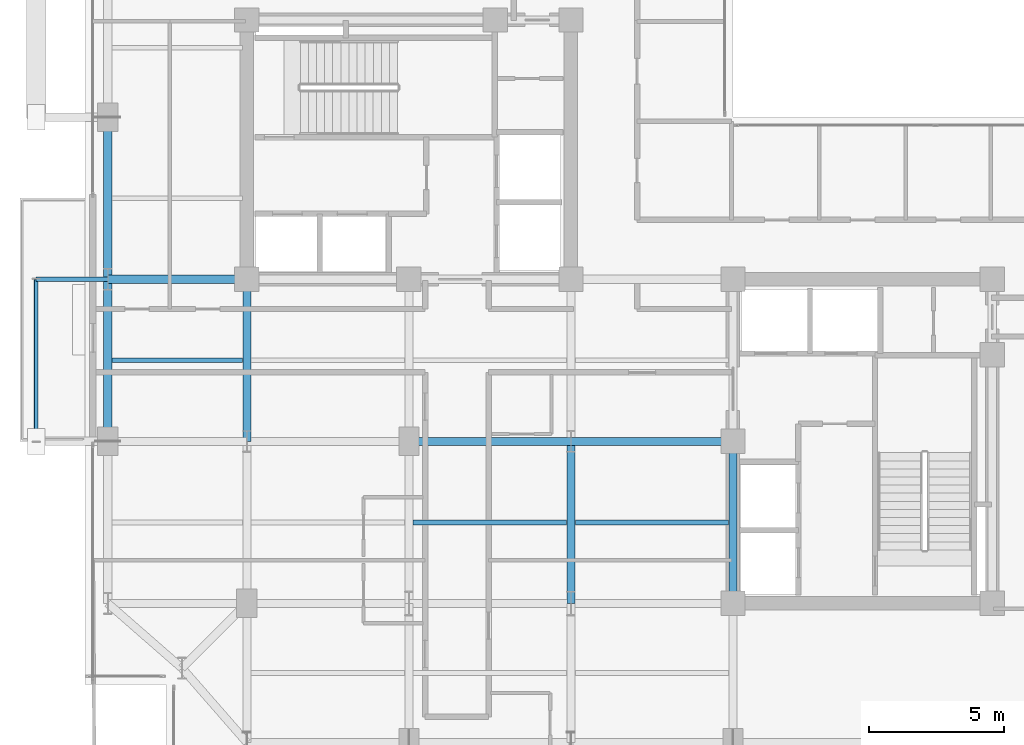
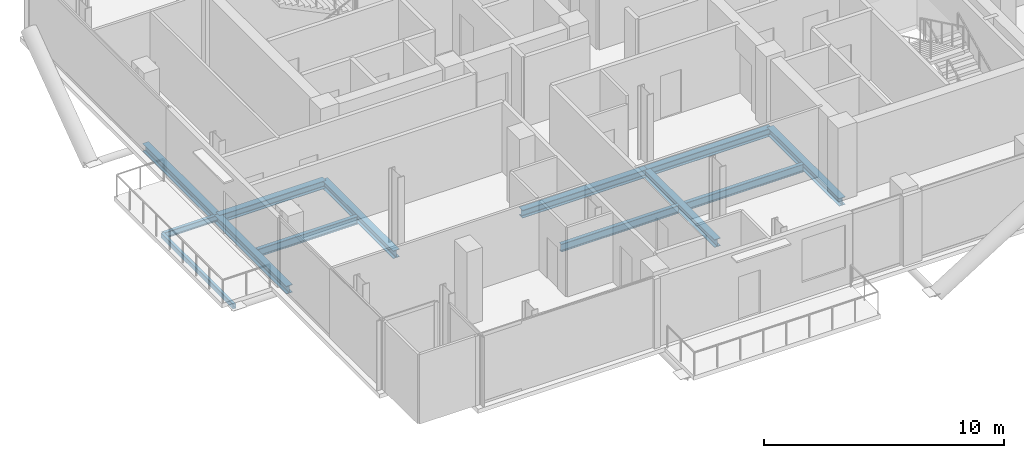
# One storey, part 6 of 21: 13 beams.
"""IFC4 building model written with IfcOpenShell, lengths in metres."""

from ifc_helpers import new_model, si_unit, direction, frame, origin, origin_2d, place, context, subcontext, project, spatial, hollow_rectangle, i_section, extrude, material, material_profile, profile_set, type_object, element, save


model = new_model("IFC4")

# Units and contexts
model_context = context("Model", 3, precision=1e-05, world=origin(), true_north=direction((0.0, 1.0)))
body_context = subcontext(model_context, "Body", "Model", "MODEL_VIEW")
ifc_project = project(units=[si_unit("LENGTHUNIT", "METRE"), si_unit("AREAUNIT", "SQUARE_METRE"), si_unit("VOLUMEUNIT", "CUBIC_METRE"), si_unit("PLANEANGLEUNIT", "RADIAN"), si_unit("MASSUNIT", "GRAM", prefix="KILO"), si_unit("THERMODYNAMICTEMPERATUREUNIT", "KELVIN"), si_unit("POWERUNIT", "WATT")], contexts=[model_context])

# Site, building, storey
site_placement = place(None, origin())
site = spatial("IfcSite", under=ifc_project, at=site_placement, CompositionType="ELEMENT")
building_placement = place(site_placement, origin())
building = spatial("IfcBuilding", under=site, at=building_placement, Name="Svarakhadi Broadcast Tower", CompositionType="ELEMENT")
storey_placement = place(building_placement, frame((0.0, 0.0, 208.64990234375)))
storey = spatial("IfcBuildingStorey", under=building, at=storey_placement, Name="L51", CompositionType="ELEMENT", Elevation=208.64990234375)

# Beams
ifc_material_1 = material(Name="Steel S355J2 (IS 2062 E350C)", Category="steel")
ifc_material_profile_1 = material_profile(ifc_material_1, i_section(OverallWidth=0.179931640625, OverallDepth=0.39990234375, WebThickness=0.008544921875, FlangeThickness=0.013427734375, FilletRadius=0.02099609375, at=origin_2d()), Name="NPB 400x180x66")
ifc_profile_set_1 = profile_set([ifc_material_profile_1], Name="Steel S355J2 (IS 2062 E350C)")
beam_type_1 = type_object("IfcBeamType", Name="Beam_NPB400", PredefinedType="BEAM", material=ifc_profile_set_1)
beam_1_placement = place(storey_placement, frame((1.010009765625, 15.0, -0.409912109375), z_axis=(1.0, 0.0, 0.0), x_axis=(0.0, 1.0, 0.0)))
element("IfcBeam", 1, at=beam_1_placement, inside=storey, type_object=beam_type_1, Name="L51 Secondary Composite Beam SB002", PredefinedType="BEAM", context=body_context, shape_type="SweptSolid", body=[
    extrude(i_section(OverallWidth=0.179931640625, OverallDepth=0.39990234375, WebThickness=0.008544921875, FlangeThickness=0.013427734375, FilletRadius=0.02099609375, at=origin_2d()), origin(), (0.0, 0.0, 1.0), 4.830078125),
])
for number, where, z_axis, x_axis, name in (
    (2, (12.159912109375, 9.0, -0.409912109375), (1.0, 0.0, 0.0), (0.0, 1.0, 0.0), "L51 Secondary Composite Beam SB010"),
    (3, (18.159912109375, 9.0, -0.409912109375), (1.0, 0.0, 0.0), (0.0, 1.0, 0.0), "L51 Secondary Composite Beam SB014"),
):
    element("IfcBeam", number, at=place(storey_placement, frame(where, z_axis=z_axis, x_axis=x_axis)), inside=storey, type_object=beam_type_1, Name=name, PredefinedType="BEAM", context=body_context, shape_type="SweptSolid", body=[
        extrude(i_section(OverallWidth=0.179931640625, OverallDepth=0.39990234375, WebThickness=0.008544921875, FlangeThickness=0.013427734375, FilletRadius=0.02099609375, at=origin_2d()), origin(), (0.0, 0.0, 1.0), 5.68017578125),
    ])
ifc_material_profile_2 = material_profile(ifc_material_1, i_section(OverallWidth=0.300048828125, OverallDepth=0.39990234375, WebThickness=0.013427734375, FlangeThickness=0.02392578125, FilletRadius=0.027099609375, at=origin_2d()), Name="WPB 400x300x155")
ifc_profile_set_2 = profile_set([ifc_material_profile_2], Name="Steel S355J2 (IS 2062 E350C)")
beam_type_2 = type_object("IfcBeamType", Name="Girder_WPB400", PredefinedType="USERDEFINED", material=ifc_profile_set_2)
for number, where, z_axis, x_axis, name in (
    (4, (12.0, 12.0, -0.409912109375), (1.0, 0.0, 0.0), (0.0, 1.0, 0.0), "L51 Primary E-W Girder G017"),
    (5, (18.0, 12.0, -0.409912109375), (1.0, 0.0, 0.0), (0.0, 1.0, 0.0), "L51 Primary E-W Girder G018"),
):
    element("IfcBeam", number, at=place(storey_placement, frame(where, z_axis=z_axis, x_axis=x_axis)), inside=storey, type_object=beam_type_2, Name=name, ObjectType="GIRDER", PredefinedType="USERDEFINED", context=body_context, shape_type="SweptSolid", body=[
        extrude(i_section(OverallWidth=0.300048828125, OverallDepth=0.39990234375, WebThickness=0.013427734375, FlangeThickness=0.02392578125, FilletRadius=0.027099609375, at=origin_2d()), origin(), (0.0, 0.0, 1.0), 6.0),
    ])
beam_2_placement = place(storey_placement, frame((0.85009765625, 18.0, -0.409912109375), z_axis=(1.0, 0.0, 0.0), x_axis=(0.0, 1.0, 0.0)))
element("IfcBeam", 6, at=beam_2_placement, inside=storey, type_object=beam_type_2, Name="L51 Primary E-W Girder G020", ObjectType="GIRDER", PredefinedType="USERDEFINED", context=body_context, shape_type="SweptSolid", body=[
    extrude(i_section(OverallWidth=0.300048828125, OverallDepth=0.39990234375, WebThickness=0.013427734375, FlangeThickness=0.02392578125, FilletRadius=0.027099609375, at=origin_2d()), origin(), (0.0, 0.0, 1.0), 5.14990234375),
])
for number, where, z_axis, x_axis, name in (
    (7, (0.85009765625, 12.0, -0.409912109375), (0.0, 1.0, 0.0), (-1.0, 0.0, 0.0), "L51 Primary N-S Girder G034"),
    (8, (0.85009765625, 18.0, -0.409912109375), (0.0, 1.0, 0.0), (-1.0, 0.0, 0.0), "L51 Primary N-S Girder G035"),
    (9, (6.0, 12.0, -0.409912109375), (0.0, 1.0, 0.0), (-1.0, 0.0, 0.0), "L51 Primary N-S Girder G039"),
    (10, (18.0, 6.0, -0.409912109375), (0.0, 1.0, 0.0), (-1.0, 0.0, 0.0), "L51 Primary N-S Girder G047"),
    (11, (24.0, 6.0, -0.409912109375), (0.0, 1.0, 0.0), (-1.0, 0.0, 0.0), "L51 Primary N-S Girder G052"),
):
    element("IfcBeam", number, at=place(storey_placement, frame(where, z_axis=z_axis, x_axis=x_axis)), inside=storey, type_object=beam_type_2, Name=name, ObjectType="GIRDER", PredefinedType="USERDEFINED", context=body_context, shape_type="SweptSolid", body=[
        extrude(i_section(OverallWidth=0.300048828125, OverallDepth=0.39990234375, WebThickness=0.013427734375, FlangeThickness=0.02392578125, FilletRadius=0.027099609375, at=origin_2d()), origin(), (0.0, 0.0, 1.0), 6.0),
    ])
ifc_material_profile_3 = material_profile(ifc_material_1, i_section(OverallWidth=0.14990234375, OverallDepth=0.300048828125, WebThickness=0.007080078125, FlangeThickness=0.0107421875, FilletRadius=0.014892578125, at=origin_2d()), Name="NPB 300x150x37")
ifc_profile_set_3 = profile_set([ifc_material_profile_3], Name="Steel S355J2 (IS 2062 E350C)")
beam_type_3 = type_object("IfcBeamType", Name="Spandrel_NPB300", PredefinedType="SPANDREL", material=ifc_profile_set_3)
beam_3_placement = place(storey_placement, frame((0.85009765625, 18.0, -0.375), z_axis=(-1.0, 0.0, 0.0), x_axis=(0.0, -1.0, 0.0)))
element("IfcBeam", 12, at=beam_3_placement, inside=storey, type_object=beam_type_3, Name="L51 Balcony Cantilever Bracket 2B", PredefinedType="SPANDREL", context=body_context, shape_type="SweptSolid", body=[
    extrude(i_section(OverallWidth=0.14990234375, OverallDepth=0.300048828125, WebThickness=0.007080078125, FlangeThickness=0.0107421875, FilletRadius=0.014892578125, at=origin_2d()), origin(), (0.0, 0.0, 1.0), 2.650146484375),
])
ifc_material_2 = material(Name="Steel S460ML (IS 2062 E450BR)", Category="steel")
ifc_material_profile_4 = material_profile(ifc_material_2, hollow_rectangle(XDim=0.14990234375, YDim=0.25, WallThickness=0.010009765625, InnerFilletRadius=0.010009765625, OuterFilletRadius=0.02001953125, at=origin_2d()), Name="RHS 250x150x10")
ifc_profile_set_4 = profile_set([ifc_material_profile_4], Name="Steel S460ML (IS 2062 E450BR)")
beam_type_4 = type_object("IfcBeamType", Name="Spandrel_RHS250", PredefinedType="SPANDREL", material=ifc_profile_set_4)
beam_4_placement = place(storey_placement, frame((-1.800048828125, 12.0, -0.349853515625), z_axis=(0.0, 1.0, 0.0), x_axis=(-1.0, 0.0, 0.0)))
element("IfcBeam", 13, at=beam_4_placement, inside=storey, type_object=beam_type_4, Name="L51 Balcony Outer Spandrel 2F", PredefinedType="SPANDREL", context=body_context, shape_type="SweptSolid", body=[
    extrude(hollow_rectangle(XDim=0.14990234375, YDim=0.25, WallThickness=0.010009765625, InnerFilletRadius=0.010009765625, OuterFilletRadius=0.02001953125, at=origin_2d()), origin(), (0.0, 0.0, 1.0), 6.0),
])

save(model, "model.ifc")
